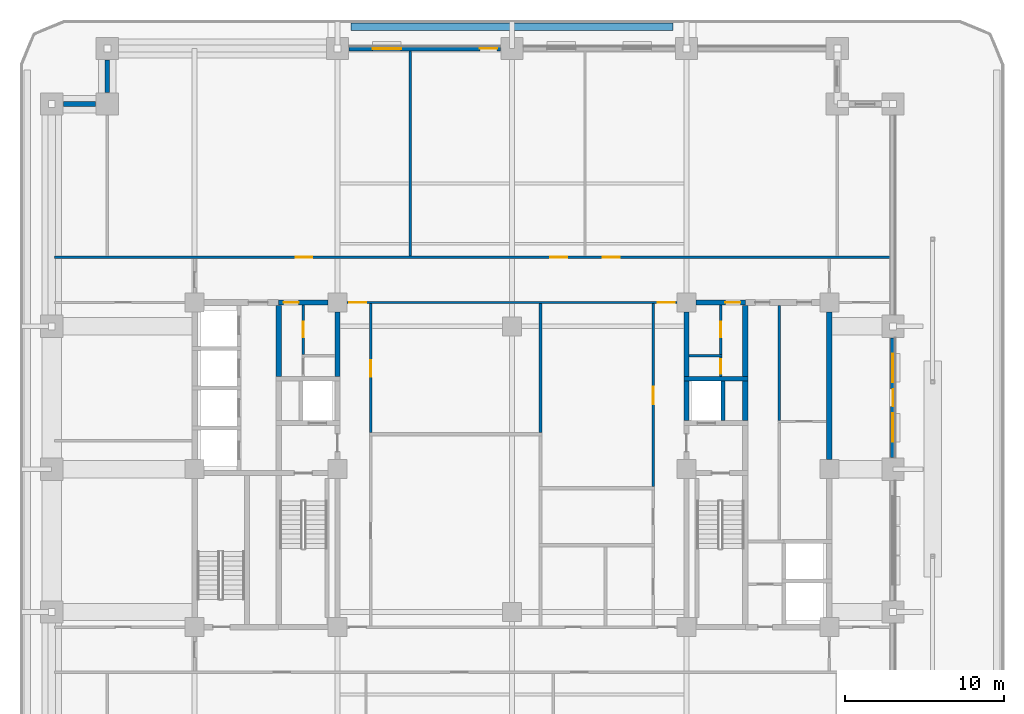
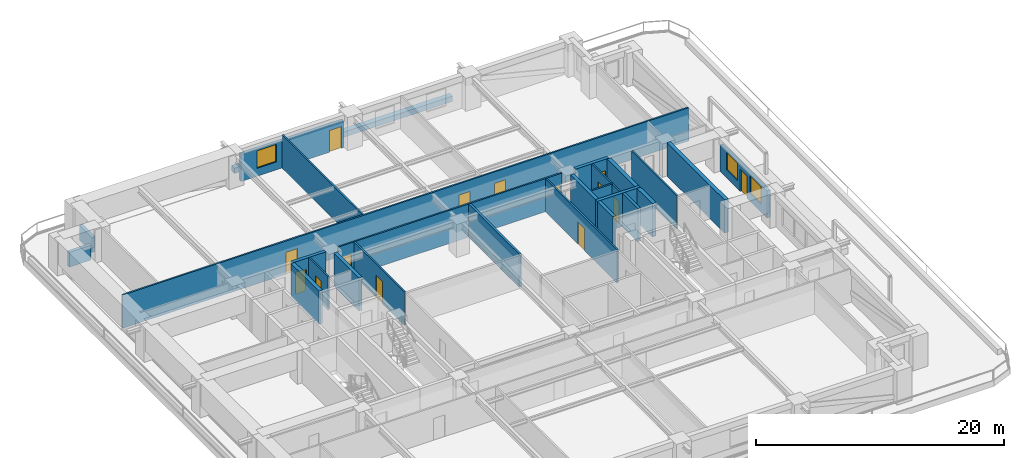
# One storey, part 8 of 18: 27 walls, 14 doors, 3 windows, 17 openings.
"""IFC4 building model written with IfcOpenShell, lengths in metres."""

import ifcopenshell
import ifcopenshell.guid

model = None  # the IFC model being written
_history = None  # IfcOwnerHistory: only IFC2X3 demands one
_inside = {}  # id of a spatial element -> (the spatial element, [elements in it])
_under = {}  # id of a project, library or spatial element -> (it, [spatial elements below it])
_declared = {}  # id of a project -> (the project, [libraries it declares])
_typed = {}  # id of a type object -> (the type object, [elements of that type])
_made_of = {}  # id of a material, layer set ... -> (it, [elements and type objects made of it])


def new_model(schema):
    """Start an empty IFC model of exactly this schema.

    Asked for "IFC4X3", IfcOpenShell would pick the latest addendum, in which some entities
    have other attributes; the version numbers below select the first issue.
    IFC2X3 requires an IfcOwnerHistory on every rooted entity: one is made here for all.
    """
    global model, _history
    if schema == "IFC4X3":
        model = ifcopenshell.file(schema_version=(4, 3, 0, 0))
    else:
        model = ifcopenshell.file(schema=schema)
    _inside.clear()
    _under.clear()
    _declared.clear()
    _typed.clear()
    _made_of.clear()
    _history = None
    if model.schema == "IFC2X3":
        org = make("IfcOrganization", Name="unknown")
        user = make(
            "IfcPersonAndOrganization",
            ThePerson=make("IfcPerson", FamilyName="unknown"),
            TheOrganization=org,
        )
        app = make(
            "IfcApplication",
            ApplicationDeveloper=org,
            Version="unknown",
            ApplicationFullName="unknown",
            ApplicationIdentifier="unknown",
        )
        _history = make(
            "IfcOwnerHistory",
            OwningUser=user,
            OwningApplication=app,
            ChangeAction="ADDED",
            CreationDate=0,
        )
    return model


def make(cls, **values):
    """One entity of the class cls with the attributes given. An attribute that is None is left unset."""
    return model.create_entity(
        cls, **{name: value for name, value in values.items() if value is not None}
    )


def rooted(cls, **values):
    """An entity with a GlobalId (a new one), such as an element, a storey or a relation."""
    return make(cls, GlobalId=ifcopenshell.guid.new(), OwnerHistory=_history, **values)


def si_unit(unit_type, name, prefix=None):
    """IfcSIUnit, for example si_unit("LENGTHUNIT", "METRE", prefix="MILLI")."""
    return make("IfcSIUnit", UnitType=unit_type, Prefix=prefix, Name=name)


def assignment(units):
    """IfcUnitAssignment: the units of a project."""
    return None if units is None else make("IfcUnitAssignment", Units=units)


def point(xyz):
    """IfcCartesianPoint."""
    return None if xyz is None else make("IfcCartesianPoint", Coordinates=xyz)


def direction(xyz):
    """IfcDirection."""
    return None if xyz is None else make("IfcDirection", DirectionRatios=xyz)


def frame(location, z_axis=None, x_axis=None):
    """IfcAxis2Placement3D, a coordinate frame: its origin and axes. An axis left out is left unset."""
    return make(
        "IfcAxis2Placement3D",
        Location=point(location),
        Axis=direction(z_axis),
        RefDirection=direction(x_axis),
    )


def frame_2d(location, x_axis=None):
    """IfcAxis2Placement2D, a coordinate frame in the plane: its origin and x axis."""
    return make(
        "IfcAxis2Placement2D", Location=point(location), RefDirection=direction(x_axis)
    )


def origin():
    """The frame at (0, 0, 0) with its axes left unset."""
    return frame((0.0, 0.0, 0.0))


def place(relative_to, where):
    """IfcLocalPlacement: puts the frame where relative to a parent placement (None: the world)."""
    return make(
        "IfcLocalPlacement", PlacementRelTo=relative_to, RelativePlacement=where
    )


def context(
    kind, dimensions, precision=None, world=None, true_north=None, identifier=None
):
    """IfcGeometricRepresentationContext, for example the 3D "Model" context."""
    return make(
        "IfcGeometricRepresentationContext",
        ContextIdentifier=identifier,
        ContextType=kind,
        CoordinateSpaceDimension=dimensions,
        Precision=precision,
        WorldCoordinateSystem=world,
        TrueNorth=true_north,
    )


def subcontext(parent, identifier, kind, view, scale=None):
    """IfcGeometricRepresentationSubContext, for example "Body" below "Model"."""
    return make(
        "IfcGeometricRepresentationSubContext",
        ContextIdentifier=identifier,
        ContextType=kind,
        ParentContext=parent,
        TargetScale=scale,
        TargetView=view,
    )


def project(units=None, contexts=None):
    """IfcProject with its units and contexts."""
    return rooted(
        "IfcProject",
        Name="project",
        RepresentationContexts=contexts,
        UnitsInContext=assignment(units),
    )


def spatial(cls, under=None, at=None, **own):
    """A site, building, storey or space (cls), placed at a placement, below another one or the project."""
    s = rooted(cls, ObjectPlacement=at, **own)
    if under is not None:
        _under.setdefault(under.id(), (under, []))[1].append(s)
    return s


def profile(cls, at=None, kind="AREA", **sizes):
    """A parametric profile (cls). Its sizes go by their IFC names, for example OverallWidth=200.0."""
    return make(cls, ProfileType=kind, Position=at, **sizes)


def rectangle(**sizes):
    """IfcRectangleProfileDef."""
    return profile("IfcRectangleProfileDef", **sizes)


def extrude(swept, where, along, depth):
    """IfcExtrudedAreaSolid: the profile swept, set in the frame where, extruded along a direction by depth."""
    return make(
        "IfcExtrudedAreaSolid",
        SweptArea=swept,
        Position=where,
        ExtrudedDirection=direction(along),
        Depth=depth,
    )


def shape(context_of_items, identifier, shape_type, items):
    """IfcShapeRepresentation: the items that make up one representation, for example the "Body"."""
    return make(
        "IfcShapeRepresentation",
        ContextOfItems=context_of_items,
        RepresentationIdentifier=identifier,
        RepresentationType=shape_type,
        Items=items,
    )


def material(Name=None, Category=None):
    """IfcMaterial."""
    return make("IfcMaterial", Name=Name, Category=Category)


def layer(
    of_material, thickness, ventilated=None, Name=None, Category=None, Priority=None
):
    """IfcMaterialLayer: one layer of a wall or slab, of a material (None: an air gap)."""
    return make(
        "IfcMaterialLayer",
        Material=of_material,
        LayerThickness=thickness,
        IsVentilated=ventilated,
        Name=Name,
        Category=Category,
        Priority=Priority,
    )


def layer_set(layers, Name=None):
    """IfcMaterialLayerSet."""
    return make("IfcMaterialLayerSet", MaterialLayers=layers, LayerSetName=Name)


def made_of(thing, what):
    """Note that an element or type object is made of a material, layer set ...; save() writes the relation."""
    if what is not None:
        _made_of.setdefault(what.id(), (what, []))[1].append(thing)
    return thing


def type_object(cls, material=None, **own):
    """A type object (cls), such as IfcWallType, which elements share."""
    return made_of(rooted(cls, **own), material)


def element(
    cls,
    number,
    at=None,
    inside=None,
    cuts=None,
    type_object=None,
    material=None,
    context=None,
    identifier="Body",
    shape_type=None,
    held_by="IfcProductDefinitionShape",
    body=None,
    shapes=None,
    **own,
):
    """One element of the class cls, such as IfcWall. Its Tag is "e" and its number.

    at: its placement. inside: the storey or other place that contains it. cuts: it is an
    opening in that element (IfcRelVoidsElement). A single representation is given by context,
    identifier, shape_type and body (its items); several are given by shapes. held_by: the class
    of the entity that holds the representations. save() writes the other relations.
    """
    e = rooted(cls, Tag="e%d" % number, ObjectPlacement=at, **own)
    if body is not None:
        shapes = [shape(context, identifier, shape_type, body)]
    if shapes is not None:
        e.Representation = make(held_by, Representations=shapes)
    if inside is not None:
        _inside.setdefault(inside.id(), (inside, []))[1].append(e)
    if cuts is not None:
        rooted(
            "IfcRelVoidsElement", RelatingBuildingElement=cuts, RelatedOpeningElement=e
        )
    if type_object is not None:
        _typed.setdefault(type_object.id(), (type_object, []))[1].append(e)
    return made_of(e, material)


def fill(opening, filler):
    """IfcRelFillsElement: the door or window that sits in an opening."""
    return rooted(
        "IfcRelFillsElement",
        RelatingOpeningElement=opening,
        RelatedBuildingElement=filler,
    )


def aggregate(whole, parts):
    """IfcRelAggregates: a whole, such as a stair, and the parts it consists of."""
    return rooted("IfcRelAggregates", RelatingObject=whole, RelatedObjects=parts)


def save(model, path):
    """Write the relations noted so far, then the file.

    IfcRelAggregates (storeys below a building ...), IfcRelContainedInSpatialStructure (elements
    in a storey), IfcRelDefinesByType, IfcRelAssociatesMaterial and IfcRelDeclares: one each for
    every whole, place, type object, material and project.
    """
    for whole, parts in _under.values():
        aggregate(whole, parts)
    for where, things in _inside.values():
        rooted(
            "IfcRelContainedInSpatialStructure",
            RelatedElements=things,
            RelatingStructure=where,
        )
    for kind, things in _typed.values():
        rooted("IfcRelDefinesByType", RelatedObjects=things, RelatingType=kind)
    for what, things in _made_of.values():
        rooted("IfcRelAssociatesMaterial", RelatedObjects=things, RelatingMaterial=what)
    for by, libraries in _declared.values():
        rooted("IfcRelDeclares", RelatingContext=by, RelatedDefinitions=libraries)
    model.write(path)


model = new_model("IFC4")

# Units and contexts
model_context = context("Model", 3, precision=1e-05, world=origin(), true_north=direction((0.0, 1.0)))
body_context = subcontext(model_context, "Body", "Model", "MODEL_VIEW")
ifc_project = project(units=[si_unit("LENGTHUNIT", "METRE"), si_unit("AREAUNIT", "SQUARE_METRE"), si_unit("VOLUMEUNIT", "CUBIC_METRE"), si_unit("PLANEANGLEUNIT", "RADIAN"), si_unit("MASSUNIT", "GRAM", prefix="KILO")], contexts=[model_context])

# Site, building, storey
site_placement = place(None, origin())
site = spatial("IfcSite", under=ifc_project, at=site_placement, CompositionType="ELEMENT")
building_placement = place(site_placement, origin())
building = spatial("IfcBuilding", under=site, at=building_placement, Name="Zulmaris Gate Convention Tower", CompositionType="ELEMENT")
storey_placement = place(building_placement, frame((0.0, 0.0, 57.18994140625)))
storey = spatial("IfcBuildingStorey", under=building, at=storey_placement, Name="L13", CompositionType="ELEMENT", Elevation=57.18994140625)

# Walls
ifc_material_1 = material(Name="Concrete C50/60", Category="concrete")
ifc_layer_1 = layer(ifc_material_1, 0.25, Name="Concrete C50/60")
ifc_layer_set_1 = layer_set([ifc_layer_1], Name="Concrete C50/60")
wall_type_1 = type_object("IfcWallType", Name="CORE-250", PredefinedType="SOLIDWALL", material=ifc_layer_set_1)
wall_1_placement = place(storey_placement, frame((13.300048828125, 3.052001953125, 0.0), z_axis=(0.0, 0.0, 1.0), x_axis=(0.0, 1.0, 0.0)))
element("IfcWall", 1, at=wall_1_placement, inside=storey, type_object=wall_type_1, Name="WL-L13-062", PredefinedType="SOLIDWALL", context=body_context, shape_type="SweptSolid", body=[
    extrude(rectangle(XDim=2.49609375, YDim=0.25, at=frame_2d((1.248046875, 0.0))), origin(), (0.0, 0.0, 1.0), 3.27001953125),
])
ifc_layer_2 = layer(ifc_material_1, 0.300048828125, Name="Concrete C50/60")
ifc_layer_set_2 = layer_set([ifc_layer_2], Name="Concrete C50/60")
wall_type_2 = type_object("IfcWallType", Name="CORE-300", PredefinedType="SHEAR", material=ifc_layer_set_2)
wall_2_placement = place(storey_placement, frame((10.85009765625, 5.699951171875, 0.0), z_axis=(0.0, 0.0, 1.0), x_axis=(1.0, 0.0, 0.0)))
element("IfcWall", 2, at=wall_2_placement, inside=storey, type_object=wall_type_2, Name="WL-L13-014", PredefinedType="SHEAR", context=body_context, shape_type="SweptSolid", body=[
    extrude(rectangle(XDim=4.02490234375, YDim=0.300048828125, at=frame_2d((2.012451171875, 0.0))), origin(), (0.0, 0.0, 1.0), 3.27001953125),
])

# Wall, opening, door
wall_3_placement = place(storey_placement, frame((-14.699951171875, 10.5, 0.0), z_axis=(0.0, 0.0, 1.0), x_axis=(1.0, 0.0, 0.0)))
wall_3 = element("IfcWall", 3, at=wall_3_placement, inside=storey, type_object=wall_type_2, Name="WL-L13-017", PredefinedType="SHEAR", context=body_context, shape_type="SweptSolid", body=[
    extrude(rectangle(XDim=3.095947265625, YDim=0.300048828125, at=frame_2d((1.5478515625, 0.0))), origin(), (0.0, 0.0, 1.0), 3.27001953125),
])
opening_1_placement = place(wall_3_placement, frame((0.304931640625, 0.0, 0.0)))
opening_1 = element("IfcOpeningElement", 4, at=opening_1_placement, cuts=wall_3, Name="Opening D-11", PredefinedType="OPENING", context=body_context, shape_type="SweptSolid", body=[
    extrude(rectangle(XDim=0.949951171875, YDim=2.14990234375, at=frame_2d((0.47509765625, 1.074951171875))), frame((0.0, 0.16015625, 0.0), z_axis=(0.0, -1.0, 0.0), x_axis=(1.0, 0.0, 0.0)), (0.0, 0.0, 1.0), 0.320068359375),
])
ifc_material_2 = material(Name="Fire-Rated Timber", Category="wood")
door_type_1 = type_object("IfcDoorType", Name="DR-950-FD", OperationType="NOTDEFINED", PredefinedType="DOOR", material=ifc_material_2)
door_1_placement = place(opening_1_placement, origin())
door_1 = element("IfcDoor", 5, at=door_1_placement, inside=storey, type_object=door_type_1, Name="L13 Core West Passage Door 07", OperationType="SINGLE_SWING_LEFT", OverallHeight=2.14990234375, OverallWidth=0.949951171875, PredefinedType="DOOR", context=body_context, shape_type="SweptSolid", body=[
    extrude(rectangle(XDim=0.949951171875, YDim=2.14990234375, at=frame_2d((0.47509765625, 1.074951171875))), frame((0.0, 0.02490234375, 0.0), z_axis=(0.0, -1.0, 0.0), x_axis=(1.0, 0.0, 0.0)), (0.0, 0.0, 1.0), 0.050048828125),
])
fill(opening_1, door_1)

wall_4_placement = place(storey_placement, frame((11.60400390625, 10.5, 0.0), z_axis=(0.0, 0.0, 1.0), x_axis=(1.0, 0.0, 0.0)))
wall_4 = element("IfcWall", 6, at=wall_4_placement, inside=storey, type_object=wall_type_2, Name="WL-L13-018", PredefinedType="SHEAR", context=body_context, shape_type="SweptSolid", body=[
    extrude(rectangle(XDim=3.095947265625, YDim=0.300048828125, at=frame_2d((1.5478515625, 0.0))), origin(), (0.0, 0.0, 1.0), 3.27001953125),
])
opening_2_placement = place(wall_4_placement, frame((1.841064453125, 0.0, 0.0)))
opening_2 = element("IfcOpeningElement", 7, at=opening_2_placement, cuts=wall_4, Name="Opening D-11", PredefinedType="OPENING", context=body_context, shape_type="SweptSolid", body=[
    extrude(rectangle(XDim=0.949951171875, YDim=2.14990234375, at=frame_2d((0.47509765625, 1.074951171875))), frame((0.0, 0.16015625, 0.0), z_axis=(0.0, -1.0, 0.0), x_axis=(1.0, 0.0, 0.0)), (0.0, 0.0, 1.0), 0.320068359375),
])
door_2_placement = place(opening_2_placement, origin())
door_2 = element("IfcDoor", 8, at=door_2_placement, inside=storey, type_object=door_type_1, Name="L13 Core East Passage Door 10", OperationType="SINGLE_SWING_RIGHT", OverallHeight=2.14990234375, OverallWidth=0.949951171875, PredefinedType="DOOR", context=body_context, shape_type="SweptSolid", body=[
    extrude(rectangle(XDim=0.949951171875, YDim=2.14990234375, at=frame_2d((0.47509765625, 1.074951171875))), frame((0.0, 0.02490234375, 0.0), z_axis=(0.0, -1.0, 0.0), x_axis=(1.0, 0.0, 0.0)), (0.0, 0.0, 1.0), 0.050048828125),
])
fill(opening_2, door_2)

# Walls
wall_5_placement = place(storey_placement, frame((-11.0, 5.85205078125, 0.0), z_axis=(0.0, 0.0, 1.0), x_axis=(0.0, 1.0, 0.0)))
element("IfcWall", 9, at=wall_5_placement, inside=storey, type_object=wall_type_2, Name="WL-L13-056", PredefinedType="SHEAR", context=body_context, shape_type="SweptSolid", body=[
    extrude(rectangle(XDim=4.0439453125, YDim=0.300048828125, at=frame_2d((2.02197265625, 0.0))), origin(), (0.0, 0.0, 1.0), 3.27001953125),
])
wall_6_placement = place(storey_placement, frame((11.0, 3.052001953125, 0.0), z_axis=(0.0, 0.0, 1.0), x_axis=(0.0, 1.0, 0.0)))
element("IfcWall", 10, at=wall_6_placement, inside=storey, type_object=wall_type_2, Name="WL-L13-059", PredefinedType="SHEAR", context=body_context, shape_type="SweptSolid", body=[
    extrude(rectangle(XDim=2.49609375, YDim=0.300048828125, at=frame_2d((1.248046875, 0.0))), origin(), (0.0, 0.0, 1.0), 3.27001953125),
])
wall_7_placement = place(storey_placement, frame((11.0, 5.85205078125, 0.0), z_axis=(0.0, 0.0, 1.0), x_axis=(0.0, 1.0, 0.0)))
element("IfcWall", 11, at=wall_7_placement, inside=storey, type_object=wall_type_2, Name="WL-L13-060", PredefinedType="SHEAR", context=body_context, shape_type="SweptSolid", body=[
    extrude(rectangle(XDim=4.0439453125, YDim=0.300048828125, at=frame_2d((2.02197265625, 0.0))), origin(), (0.0, 0.0, 1.0), 3.27001953125),
])
ifc_material_3 = material(Name="Concrete C55/67", Category="concrete")
ifc_layer_3 = layer(ifc_material_3, 0.35009765625, Name="Concrete C55/67")
ifc_layer_set_3 = layer_set([ifc_layer_3], Name="Concrete C55/67")
wall_type_3 = type_object("IfcWallType", Name="CORE-350", PredefinedType="SHEAR", material=ifc_layer_set_3)
wall_8_placement = place(storey_placement, frame((-14.699951171875, 5.85205078125, 0.0), z_axis=(0.0, 0.0, 1.0), x_axis=(0.0, 1.0, 0.0)))
element("IfcWall", 12, at=wall_8_placement, inside=storey, type_object=wall_type_3, Name="WL-L13-050", PredefinedType="SHEAR", context=body_context, shape_type="SweptSolid", body=[
    extrude(rectangle(XDim=4.470947265625, YDim=0.35009765625, at=frame_2d((2.2353515625, 0.0))), origin(), (0.0, 0.0, 1.0), 3.27001953125),
])
wall_9_placement = place(storey_placement, frame((14.699951171875, 3.052001953125, 0.0), z_axis=(0.0, 0.0, 1.0), x_axis=(0.0, 1.0, 0.0)))
element("IfcWall", 13, at=wall_9_placement, inside=storey, type_object=wall_type_3, Name="WL-L13-065", PredefinedType="SHEAR", context=body_context, shape_type="SweptSolid", body=[
    extrude(rectangle(XDim=2.49609375, YDim=0.35009765625, at=frame_2d((1.248046875, 0.0))), origin(), (0.0, 0.0, 1.0), 3.27001953125),
])
wall_10_placement = place(storey_placement, frame((14.699951171875, 5.85205078125, 0.0), z_axis=(0.0, 0.0, 1.0), x_axis=(0.0, 1.0, 0.0)))
element("IfcWall", 14, at=wall_10_placement, inside=storey, type_object=wall_type_3, Name="WL-L13-066", PredefinedType="SHEAR", context=body_context, shape_type="SweptSolid", body=[
    extrude(rectangle(XDim=4.470947265625, YDim=0.35009765625, at=frame_2d((2.2353515625, 0.0))), origin(), (0.0, 0.0, 1.0), 3.27001953125),
])
wall_11_placement = place(storey_placement, frame((20.0, 0.60400390625, 0.0), z_axis=(0.0, 0.0, 1.0), x_axis=(0.0, 1.0, 0.0)))
element("IfcWall", 15, at=wall_11_placement, inside=storey, type_object=wall_type_3, Name="WL-L13-071S1", PredefinedType="SHEAR", context=body_context, shape_type="SweptSolid", body=[
    extrude(rectangle(XDim=9.2919921875, YDim=0.35009765625, at=frame_2d((4.64599609375, 0.0))), origin(), (0.0, 0.0, 1.0), 3.27001953125),
])
ifc_material_4 = material(Name="Gypsum Metal Stud Partition")
ifc_layer_4 = layer(ifc_material_4, 0.14990234375, Name="Gypsum Metal Stud Partition")
ifc_layer_set_4 = layer_set([ifc_layer_4], Name="Gypsum Metal Stud Partition")
wall_type_4 = type_object("IfcWallType", Name="PART-150", PredefinedType="PARTITIONING", material=ifc_layer_set_4)
wall_12_placement = place(storey_placement, frame((11.153076171875, 7.14990234375, 0.0), z_axis=(0.0, 0.0, 1.0), x_axis=(1.0, 0.0, 0.0)))
element("IfcWall", 16, at=wall_12_placement, inside=storey, type_object=wall_type_4, Name="WL-L13-032", PredefinedType="PARTITIONING", context=body_context, shape_type="SweptSolid", body=[
    extrude(rectangle(XDim=2.072021484375, YDim=0.14990234375, at=frame_2d((1.0361328125, 0.0))), origin(), (0.0, 0.0, 1.0), 3.27001953125),
])

# Wall, openings, doors
wall_13_placement = place(storey_placement, frame((-10.39404296875, 10.5, 0.0), z_axis=(0.0, 0.0, 1.0), x_axis=(1.0, 0.0, 0.0)))
wall_13 = element("IfcWall", 17, at=wall_13_placement, inside=storey, type_object=wall_type_4, Name="WL-L13-034", PredefinedType="PARTITIONING", context=body_context, shape_type="SweptSolid", body=[
    extrude(rectangle(XDim=20.7880859375, YDim=0.14990234375, at=frame_2d((10.39404296875, 0.0))), origin(), (0.0, 0.0, 1.0), 3.27001953125),
])
opening_3_placement = place(wall_13_placement, frame((0.14990234375, 0.0, 0.0)))
opening_3 = element("IfcOpeningElement", 18, at=opening_3_placement, cuts=wall_13, Name="Opening D-09", PredefinedType="OPENING", context=body_context, shape_type="SweptSolid", body=[
    extrude(rectangle(XDim=1.050048828125, YDim=2.14990234375, at=frame_2d((0.52490234375, 1.074951171875))), frame((0.0, 0.0849609375, 0.0), z_axis=(0.0, -1.0, 0.0), x_axis=(1.0, 0.0, 0.0)), (0.0, 0.0, 1.0), 0.169921875),
])
opening_4_placement = place(wall_13_placement, frame((19.587890625, 0.0, 0.0)))
opening_4 = element("IfcOpeningElement", 19, at=opening_4_placement, cuts=wall_13, Name="Opening D-09", PredefinedType="OPENING", context=body_context, shape_type="SweptSolid", body=[
    extrude(rectangle(XDim=1.050048828125, YDim=2.14990234375, at=frame_2d((0.52490234375, 1.074951171875))), frame((0.0, 0.0849609375, 0.0), z_axis=(0.0, -1.0, 0.0), x_axis=(1.0, 0.0, 0.0)), (0.0, 0.0, 1.0), 0.169921875),
])
ifc_material_5 = material(Name="Fire-Rated Steel", Category="steel")
door_type_2 = type_object("IfcDoorType", Name="DR-1050-FD", OperationType="NOTDEFINED", PredefinedType="DOOR", material=ifc_material_5)
door_3_placement = place(opening_3_placement, origin())
door_3 = element("IfcDoor", 20, at=door_3_placement, inside=storey, type_object=door_type_2, Name="L13 NW Spine Link Door 24", OperationType="SINGLE_SWING_RIGHT", OverallHeight=2.14990234375, OverallWidth=1.050048828125, PredefinedType="DOOR", context=body_context, shape_type="SweptSolid", body=[
    extrude(rectangle(XDim=1.050048828125, YDim=2.14990234375, at=frame_2d((0.52490234375, 1.074951171875))), frame((0.0, 0.02490234375, 0.0), z_axis=(0.0, -1.0, 0.0), x_axis=(1.0, 0.0, 0.0)), (0.0, 0.0, 1.0), 0.050048828125),
])
fill(opening_3, door_3)
door_4_placement = place(opening_4_placement, origin())
door_4 = element("IfcDoor", 21, at=door_4_placement, inside=storey, type_object=door_type_2, Name="L13 NE Spine Link Door 26", OperationType="SINGLE_SWING_RIGHT", OverallHeight=2.14990234375, OverallWidth=1.050048828125, PredefinedType="DOOR", context=body_context, shape_type="SweptSolid", body=[
    extrude(rectangle(XDim=1.050048828125, YDim=2.14990234375, at=frame_2d((0.52490234375, 1.074951171875))), frame((0.0, 0.02490234375, 0.0), z_axis=(0.0, -1.0, 0.0), x_axis=(1.0, 0.0, 0.0)), (0.0, 0.0, 1.0), 0.050048828125),
])
fill(opening_4, door_4)

wall_14_placement = place(storey_placement, frame((-28.8349609375, 13.35009765625, 0.0), z_axis=(0.0, 0.0, 1.0), x_axis=(1.0, 0.0, 0.0)))
wall_14 = element("IfcWall", 22, at=wall_14_placement, inside=storey, type_object=wall_type_4, Name="WL-L13-036", PredefinedType="PARTITIONING", context=body_context, shape_type="SweptSolid", body=[
    extrude(rectangle(XDim=52.669921875, YDim=0.14990234375, at=frame_2d((26.3349609375, 0.0))), origin(), (0.0, 0.0, 1.0), 3.27001953125),
])
opening_5_placement = place(wall_14_placement, frame((15.2099609375, 0.0, 0.0)))
opening_5 = element("IfcOpeningElement", 23, at=opening_5_placement, cuts=wall_14, Name="Opening D-09", PredefinedType="OPENING", context=body_context, shape_type="SweptSolid", body=[
    extrude(rectangle(XDim=1.050048828125, YDim=2.14990234375, at=frame_2d((0.52490234375, 1.074951171875))), frame((0.0, 0.0849609375, 0.0), z_axis=(0.0, -1.0, 0.0), x_axis=(1.0, 0.0, 0.0)), (0.0, 0.0, 1.0), 0.169921875),
])
opening_6_placement = place(wall_14_placement, frame((31.260009765625, 0.0, 0.0)))
opening_6 = element("IfcOpeningElement", 24, at=opening_6_placement, cuts=wall_14, Name="Opening D-09", PredefinedType="OPENING", context=body_context, shape_type="SweptSolid", body=[
    extrude(rectangle(XDim=1.050048828125, YDim=2.14990234375, at=frame_2d((0.52490234375, 1.074951171875))), frame((0.0, 0.0849609375, 0.0), z_axis=(0.0, -1.0, 0.0), x_axis=(1.0, 0.0, 0.0)), (0.0, 0.0, 1.0), 0.169921875),
])
opening_7_placement = place(wall_14_placement, frame((34.56005859375, 0.0, 0.0)))
opening_7 = element("IfcOpeningElement", 25, at=opening_7_placement, cuts=wall_14, Name="Opening D-09", PredefinedType="OPENING", context=body_context, shape_type="SweptSolid", body=[
    extrude(rectangle(XDim=1.050048828125, YDim=2.14990234375, at=frame_2d((0.52490234375, 1.074951171875))), frame((0.0, 0.0849609375, 0.0), z_axis=(0.0, -1.0, 0.0), x_axis=(1.0, 0.0, 0.0)), (0.0, 0.0, 1.0), 0.169921875),
])
door_5_placement = place(opening_5_placement, origin())
door_5 = element("IfcDoor", 26, at=door_5_placement, inside=storey, type_object=door_type_2, Name="L13 Partner Corner Office Door 28", OperationType="SINGLE_SWING_RIGHT", OverallHeight=2.14990234375, OverallWidth=1.050048828125, PredefinedType="DOOR", context=body_context, shape_type="SweptSolid", body=[
    extrude(rectangle(XDim=1.050048828125, YDim=2.14990234375, at=frame_2d((0.52490234375, 1.074951171875))), frame((0.0, 0.02490234375, 0.0), z_axis=(0.0, -1.0, 0.0), x_axis=(1.0, 0.0, 0.0)), (0.0, 0.0, 1.0), 0.050048828125),
])
fill(opening_5, door_5)
door_6_placement = place(opening_6_placement, origin())
door_6 = element("IfcDoor", 27, at=door_6_placement, inside=storey, type_object=door_type_2, Name="L13 Advisory Suite Office Door 29", OperationType="SINGLE_SWING_LEFT", OverallHeight=2.14990234375, OverallWidth=1.050048828125, PredefinedType="DOOR", context=body_context, shape_type="SweptSolid", body=[
    extrude(rectangle(XDim=1.050048828125, YDim=2.14990234375, at=frame_2d((0.52490234375, 1.074951171875))), frame((0.0, 0.02490234375, 0.0), z_axis=(0.0, -1.0, 0.0), x_axis=(1.0, 0.0, 0.0)), (0.0, 0.0, 1.0), 0.050048828125),
])
fill(opening_6, door_6)
door_7_placement = place(opening_7_placement, origin())
door_7 = element("IfcDoor", 28, at=door_7_placement, inside=storey, type_object=door_type_2, Name="L13 Open Plan Workplace Door 30", OperationType="SINGLE_SWING_RIGHT", OverallHeight=2.14990234375, OverallWidth=1.050048828125, PredefinedType="DOOR", context=body_context, shape_type="SweptSolid", body=[
    extrude(rectangle(XDim=1.050048828125, YDim=2.14990234375, at=frame_2d((0.52490234375, 1.074951171875))), frame((0.0, 0.02490234375, 0.0), z_axis=(0.0, -1.0, 0.0), x_axis=(1.0, 0.0, 0.0)), (0.0, 0.0, 1.0), 0.050048828125),
])
fill(opening_7, door_7)

# Wall, opening, door
wall_15_placement = place(storey_placement, frame((-13.14990234375, 7.22802734375, 0.0), z_axis=(0.0, 0.0, 1.0), x_axis=(0.0, 1.0, 0.0)))
wall_15 = element("IfcWall", 29, at=wall_15_placement, inside=storey, type_object=wall_type_4, Name="WL-L13-077", PredefinedType="PARTITIONING", context=body_context, shape_type="SweptSolid", body=[
    extrude(rectangle(XDim=3.118896484375, YDim=0.14990234375, at=frame_2d((1.5595703125, 0.0))), origin(), (0.0, 0.0, 1.0), 3.27001953125),
])
opening_8_placement = place(wall_15_placement, frame((1.096923828125, 0.0, 0.0)))
opening_8 = element("IfcOpeningElement", 30, at=opening_8_placement, cuts=wall_15, Name="Opening D-11", PredefinedType="OPENING", context=body_context, shape_type="SweptSolid", body=[
    extrude(rectangle(XDim=0.949951171875, YDim=2.14990234375, at=frame_2d((0.47509765625, 1.074951171875))), frame((0.0, 0.0849609375, 0.0), z_axis=(0.0, -1.0, 0.0), x_axis=(1.0, 0.0, 0.0)), (0.0, 0.0, 1.0), 0.169921875),
])
door_8_placement = place(opening_8_placement, origin())
door_8 = element("IfcDoor", 31, at=door_8_placement, inside=storey, type_object=door_type_1, Name="L13 Meter Closet Door 09", OperationType="SINGLE_SWING_LEFT", OverallHeight=2.14990234375, OverallWidth=0.949951171875, PredefinedType="DOOR", context=body_context, shape_type="SweptSolid", body=[
    extrude(rectangle(XDim=0.949951171875, YDim=2.14990234375, at=frame_2d((0.47509765625, 1.074951171875))), frame((0.0, 0.02490234375, 0.0), z_axis=(0.0, -1.0, 0.0), x_axis=(1.0, 0.0, 0.0)), (0.0, 0.0, 1.0), 0.050048828125),
])
fill(opening_8, door_8)

wall_16_placement = place(storey_placement, frame((-8.89990234375, 2.302978515625, 0.0), z_axis=(0.0, 0.0, 1.0), x_axis=(0.0, 1.0, 0.0)))
wall_16 = element("IfcWall", 32, at=wall_16_placement, inside=storey, type_object=wall_type_4, Name="WL-L13-080", PredefinedType="PARTITIONING", context=body_context, shape_type="SweptSolid", body=[
    extrude(rectangle(XDim=8.119140625, YDim=0.14990234375, at=frame_2d((4.0595703125, 0.0))), origin(), (0.0, 0.0, 1.0), 3.27001953125),
])
opening_9_placement = place(wall_16_placement, frame((3.52197265625, 0.0, 0.0)))
opening_9 = element("IfcOpeningElement", 33, at=opening_9_placement, cuts=wall_16, Name="Opening D-09", PredefinedType="OPENING", context=body_context, shape_type="SweptSolid", body=[
    extrude(rectangle(XDim=1.050048828125, YDim=2.14990234375, at=frame_2d((0.52490234375, 1.074951171875))), frame((0.0, 0.0849609375, 0.0), z_axis=(0.0, -1.0, 0.0), x_axis=(1.0, 0.0, 0.0)), (0.0, 0.0, 1.0), 0.169921875),
])
door_9_placement = place(opening_9_placement, origin())
door_9 = element("IfcDoor", 34, at=door_9_placement, inside=storey, type_object=door_type_2, Name="L13 Boardroom Door 34", OperationType="SINGLE_SWING_RIGHT", OverallHeight=2.14990234375, OverallWidth=1.050048828125, PredefinedType="DOOR", context=body_context, shape_type="SweptSolid", body=[
    extrude(rectangle(XDim=1.050048828125, YDim=2.14990234375, at=frame_2d((0.52490234375, 1.074951171875))), frame((0.0, 0.02490234375, 0.0), z_axis=(0.0, -1.0, 0.0), x_axis=(1.0, 0.0, 0.0)), (0.0, 0.0, 1.0), 0.050048828125),
])
fill(opening_9, door_9)

# Wall
wall_17_placement = place(storey_placement, frame((-6.39990234375, 13.427978515625, 0.0), z_axis=(0.0, 0.0, 1.0), x_axis=(0.0, 1.0, 0.0)))
element("IfcWall", 35, at=wall_17_placement, inside=storey, type_object=wall_type_4, Name="WL-L13-081", PredefinedType="PARTITIONING", context=body_context, shape_type="SweptSolid", body=[
    extrude(rectangle(XDim=12.906982421875, YDim=0.14990234375, at=frame_2d((6.45361328125, 0.0))), origin(), (0.0, 0.0, 1.0), 3.27001953125),
])

# Wall, opening, door
wall_18_placement = place(storey_placement, frame((8.89990234375, -1.096923828125, 0.0), z_axis=(0.0, 0.0, 1.0), x_axis=(0.0, 1.0, 0.0)))
wall_18 = element("IfcWall", 36, at=wall_18_placement, inside=storey, type_object=wall_type_4, Name="WL-L13-091", PredefinedType="PARTITIONING", context=body_context, shape_type="SweptSolid", body=[
    extrude(rectangle(XDim=11.51904296875, YDim=0.14990234375, at=frame_2d((5.759521484375, 0.0))), origin(), (0.0, 0.0, 1.0), 3.27001953125),
])
opening_10_placement = place(wall_18_placement, frame((5.197021484375, 0.0, 0.0)))
opening_10 = element("IfcOpeningElement", 37, at=opening_10_placement, cuts=wall_18, Name="Opening D-08", PredefinedType="OPENING", context=body_context, shape_type="SweptSolid", body=[
    extrude(rectangle(XDim=1.10009765625, YDim=2.14990234375, at=frame_2d((0.550048828125, 1.074951171875))), frame((0.0, 0.0849609375, 0.0), z_axis=(0.0, -1.0, 0.0), x_axis=(1.0, 0.0, 0.0)), (0.0, 0.0, 1.0), 0.169921875),
])
door_type_3 = type_object("IfcDoorType", Name="DR-1100-FD", OperationType="NOTDEFINED", PredefinedType="DOOR", material=ifc_material_5)
door_10_placement = place(opening_10_placement, origin())
door_10 = element("IfcDoor", 38, at=door_10_placement, inside=storey, type_object=door_type_3, Name="L13 Seminar Forum Door 36", OperationType="SINGLE_SWING_RIGHT", OverallHeight=2.14990234375, OverallWidth=1.10009765625, PredefinedType="DOOR", context=body_context, shape_type="SweptSolid", body=[
    extrude(rectangle(XDim=1.10009765625, YDim=2.14990234375, at=frame_2d((0.550048828125, 1.074951171875))), frame((0.0, 0.02490234375, 0.0), z_axis=(0.0, -1.0, 0.0), x_axis=(1.0, 0.0, 0.0)), (0.0, 0.0, 1.0), 0.050048828125),
])
fill(opening_10, door_10)

wall_19_placement = place(storey_placement, frame((13.14990234375, 5.85302734375, 0.0), z_axis=(0.0, 0.0, 1.0), x_axis=(0.0, 1.0, 0.0)))
wall_19 = element("IfcWall", 39, at=wall_19_placement, inside=storey, type_object=wall_type_4, Name="WL-L13-092", PredefinedType="PARTITIONING", context=body_context, shape_type="SweptSolid", body=[
    extrude(rectangle(XDim=1.218994140625, YDim=0.14990234375, at=frame_2d((0.609375, 0.0))), origin(), (0.0, 0.0, 1.0), 3.27001953125),
])
opening_11_placement = place(wall_19_placement, frame((0.1689453125, 0.0, 0.0)))
opening_11 = element("IfcOpeningElement", 40, at=opening_11_placement, cuts=wall_19, Name="Opening D-12", PredefinedType="OPENING", context=body_context, shape_type="SweptSolid", body=[
    extrude(rectangle(XDim=0.89990234375, YDim=2.14990234375, at=frame_2d((0.449951171875, 1.074951171875))), frame((0.0, 0.0849609375, 0.0), z_axis=(0.0, -1.0, 0.0), x_axis=(1.0, 0.0, 0.0)), (0.0, 0.0, 1.0), 0.169921875),
])
door_type_4 = type_object("IfcDoorType", Name="DR-900-FD", OperationType="NOTDEFINED", PredefinedType="DOOR", material=ifc_material_2)
door_11_placement = place(opening_11_placement, origin())
door_11 = element("IfcDoor", 41, at=door_11_placement, inside=storey, type_object=door_type_4, Name="L13 Core Staff WC Door 11", OperationType="SINGLE_SWING_LEFT", OverallHeight=2.14990234375, OverallWidth=0.89990234375, PredefinedType="DOOR", context=body_context, shape_type="SweptSolid", body=[
    extrude(rectangle(XDim=0.89990234375, YDim=2.14990234375, at=frame_2d((0.449951171875, 1.074951171875))), frame((0.0, 0.02490234375, 0.0), z_axis=(0.0, -1.0, 0.0), x_axis=(1.0, 0.0, 0.0)), (0.0, 0.0, 1.0), 0.050048828125),
])
fill(opening_11, door_11)

wall_20_placement = place(storey_placement, frame((13.14990234375, 7.22802734375, 0.0), z_axis=(0.0, 0.0, 1.0), x_axis=(0.0, 1.0, 0.0)))
wall_20 = element("IfcWall", 42, at=wall_20_placement, inside=storey, type_object=wall_type_4, Name="WL-L13-093", PredefinedType="PARTITIONING", context=body_context, shape_type="SweptSolid", body=[
    extrude(rectangle(XDim=3.118896484375, YDim=0.14990234375, at=frame_2d((1.5595703125, 0.0))), origin(), (0.0, 0.0, 1.0), 3.27001953125),
])
opening_12_placement = place(wall_20_placement, frame((1.096923828125, 0.0, 0.0)))
opening_12 = element("IfcOpeningElement", 43, at=opening_12_placement, cuts=wall_20, Name="Opening D-11", PredefinedType="OPENING", context=body_context, shape_type="SweptSolid", body=[
    extrude(rectangle(XDim=0.949951171875, YDim=2.14990234375, at=frame_2d((0.47509765625, 1.074951171875))), frame((0.0, 0.0849609375, 0.0), z_axis=(0.0, -1.0, 0.0), x_axis=(1.0, 0.0, 0.0)), (0.0, 0.0, 1.0), 0.169921875),
])
door_12_placement = place(opening_12_placement, origin())
door_12 = element("IfcDoor", 44, at=door_12_placement, inside=storey, type_object=door_type_1, Name="L13 Core Hygiene Store Door 12", OperationType="SINGLE_SWING_RIGHT", OverallHeight=2.14990234375, OverallWidth=0.949951171875, PredefinedType="DOOR", context=body_context, shape_type="SweptSolid", body=[
    extrude(rectangle(XDim=0.949951171875, YDim=2.14990234375, at=frame_2d((0.47509765625, 1.074951171875))), frame((0.0, 0.02490234375, 0.0), z_axis=(0.0, -1.0, 0.0), x_axis=(1.0, 0.0, 0.0)), (0.0, 0.0, 1.0), 0.050048828125),
])
fill(opening_12, door_12)

# Walls
wall_21_placement = place(storey_placement, frame((16.85009765625, 3.077880859375, 0.0), z_axis=(0.0, 0.0, 1.0), x_axis=(0.0, 1.0, 0.0)))
element("IfcWall", 45, at=wall_21_placement, inside=storey, type_object=wall_type_4, Name="WL-L13-095", PredefinedType="PARTITIONING", context=body_context, shape_type="SweptSolid", body=[
    extrude(rectangle(XDim=7.244140625, YDim=0.14990234375, at=frame_2d((3.6220703125, 0.0))), origin(), (0.0, 0.0, 1.0), 3.27001953125),
])
ifc_material_6 = material(Name="Autoclaved Aerated Concrete Block and Plasterboard", Category="concrete")
ifc_layer_5 = layer(ifc_material_6, 0.199951171875, Name="Autoclaved Aerated Concrete Block and Plasterboard")
ifc_layer_set_5 = layer_set([ifc_layer_5], Name="Autoclaved Aerated Concrete Block and Plasterboard")
wall_type_5 = type_object("IfcWallType", Name="PART-200", PredefinedType="PARTITIONING", material=ifc_layer_set_5)
wall_22_placement = place(storey_placement, frame((1.800048828125, 2.302978515625, 0.0), z_axis=(0.0, 0.0, 1.0), x_axis=(0.0, 1.0, 0.0)))
element("IfcWall", 46, at=wall_22_placement, inside=storey, type_object=wall_type_5, Name="WL-L13-085", PredefinedType="PARTITIONING", context=body_context, shape_type="SweptSolid", body=[
    extrude(rectangle(XDim=8.119140625, YDim=0.199951171875, at=frame_2d((4.0595703125, 0.0))), origin(), (0.0, 0.0, 1.0), 3.27001953125),
])
ifc_material_7 = material(Name="Botanical Green Glazed Precast Concrete C40/50", Category="concrete")
ifc_layer_6 = layer(ifc_material_7, 0.419921875, Name="Botanical Green Glazed Precast Concrete C40/50")
ifc_layer_set_6 = layer_set([ifc_layer_6], Name="Botanical Green Glazed Precast Concrete C40/50")
wall_type_6 = type_object("IfcWallType", Name="PLANTER-CURB-200", PredefinedType="PARAPET", material=ifc_layer_set_6)
wall_23_placement = place(storey_placement, frame((-10.14990234375, 27.8798828125, -0.0400390625), z_axis=(0.0, 0.0, 1.0), x_axis=(1.0, 0.0, 0.0)))
element("IfcWall", 47, at=wall_23_placement, inside=storey, type_object=wall_type_6, Name="L13 Full-Length Balcony Tree Planter Trough", PredefinedType="PARAPET", context=body_context, shape_type="SweptSolid", body=[
    extrude(rectangle(XDim=20.2998046875, YDim=0.47998046875, at=frame_2d((10.14990234375, 0.0))), origin(), (0.0, 0.0, 1.0), 0.52001953125),
])
ifc_material_8 = material(Name="Precast concrete C40/50", Category="concrete")
ifc_layer_7 = layer(ifc_material_8, 0.300048828125, Name="Precast concrete C40/50")
ifc_layer_set_7 = layer_set([ifc_layer_7], Name="Precast concrete C40/50")
wall_type_7 = type_object("IfcWallType", Name="PRECAST-PIER-300", PredefinedType="STANDARD", material=ifc_layer_set_7)
for number, where, z_axis, x_axis, name in (
    (48, (-25.5, 25.77001953125, 0.0), (0.0, 0.0, 1.0), (0.0, -1.0, 0.0), "EW-L13-NOTCH-NW1_0"),
    (49, (-26.22998046875, 23.0, 0.0), (0.0, 0.0, 1.0), (-1.0, 0.0, 0.0), "EW-L13-NOTCH-NW2_0"),
):
    element("IfcWall", number, at=place(storey_placement, frame(where, z_axis=z_axis, x_axis=x_axis)), inside=storey, type_object=wall_type_7, Name=name, PredefinedType="STANDARD", context=body_context, shape_type="SweptSolid", body=[
        extrude(rectangle(XDim=2.0400390625, YDim=0.300048828125, at=frame_2d((1.02001953125, 0.0))), origin(), (0.0, 0.0, 1.0), 1.462158203125),
    ])

# Wall, openings, door, window
wall_24_placement = place(storey_placement, frame((-0.72998046875, 26.5, 0.0), z_axis=(0.0, 0.0, 1.0), x_axis=(-1.0, 0.0, 0.0)))
wall_24 = element("IfcWall", 50, at=wall_24_placement, inside=storey, type_object=wall_type_7, Name="EW-L13-N-1_0", PredefinedType="STANDARD", context=body_context, shape_type="SweptSolid", body=[
    extrude(rectangle(XDim=9.5400390625, YDim=0.300048828125, at=frame_2d((4.77001953125, 0.0))), origin(), (0.0, 0.0, 1.0), 2.662109375),
])
opening_13_placement = place(wall_24_placement, frame((0.199951171875, 0.0, 0.0)))
opening_13 = element("IfcOpeningElement", 51, at=opening_13_placement, cuts=wall_24, Name="Opening D-04", PredefinedType="OPENING", context=body_context, shape_type="SweptSolid", body=[
    extrude(rectangle(XDim=1.10009765625, YDim=2.14990234375, at=frame_2d((0.550048828125, 1.074951171875))), frame((0.0, 0.16015625, 0.0), z_axis=(0.0, -1.0, 0.0), x_axis=(1.0, 0.0, 0.0)), (0.0, 0.0, 1.0), 0.320068359375),
])
opening_14_placement = place(wall_24_placement, frame((6.2548828125, 0.0, 0.780029296875)))
opening_14 = element("IfcOpeningElement", 52, at=opening_14_placement, cuts=wall_24, Name="Opening W-02", PredefinedType="OPENING", context=body_context, shape_type="SweptSolid", body=[
    extrude(rectangle(XDim=1.800048828125, YDim=1.719970703125, at=frame_2d((0.89990234375, 0.85986328125))), frame((0.0, 0.16015625, 0.0), z_axis=(0.0, -1.0, 0.0), x_axis=(1.0, 0.0, 0.0)), (0.0, 0.0, 1.0), 0.320068359375),
])
ifc_material_9 = material(Name="Anodised Aluminium and Laminated Glass", Category="aluminium")
door_type_5 = type_object("IfcDoorType", Name="ED-1100", OperationType="SINGLE_SWING_RIGHT", PredefinedType="DOOR", material=ifc_material_9)
door_13_placement = place(opening_13_placement, origin())
door_13 = element("IfcDoor", 53, at=door_13_placement, inside=storey, type_object=door_type_5, Name="L13 N Planted Terrace Door", OperationType="SINGLE_SWING_LEFT", OverallHeight=2.14990234375, OverallWidth=1.10009765625, PredefinedType="DOOR", context=body_context, shape_type="SweptSolid", body=[
    extrude(rectangle(XDim=1.10009765625, YDim=2.14990234375, at=frame_2d((0.550048828125, 1.074951171875))), frame((0.0, 0.02490234375, 0.0), z_axis=(0.0, -1.0, 0.0), x_axis=(1.0, 0.0, 0.0)), (0.0, 0.0, 1.0), 0.050048828125),
])
fill(opening_13, door_13)
ifc_material_10 = material(Name="Low-E Laminated Double Glazing in Aluminium Frame", Category="aluminium")
window_type = type_object("IfcWindowType", Name="WIN-1800x2200", PartitioningType="SINGLE_PANEL", PredefinedType="WINDOW", material=ifc_material_10)
window_1_placement = place(opening_14_placement, origin())
window_1 = element("IfcWindow", 54, at=window_1_placement, inside=storey, type_object=window_type, Name="WN-EW-L13-N-1_0-3", OverallHeight=1.719970703125, OverallWidth=1.800048828125, PartitioningType="SINGLE_PANEL", PredefinedType="WINDOW", context=body_context, shape_type="SweptSolid", body=[
    extrude(rectangle(XDim=1.800048828125, YDim=1.719970703125, at=frame_2d((0.89990234375, 0.85986328125))), frame((0.0, 0.030029296875, 0.0), z_axis=(0.0, -1.0, 0.0), x_axis=(1.0, 0.0, 0.0)), (0.0, 0.0, 1.0), 0.06005859375),
])
fill(opening_14, window_1)

# Wall, openings, door, windows
wall_25_placement = place(storey_placement, frame((24.0, 0.72998046875, 0.0), z_axis=(0.0, 0.0, 1.0), x_axis=(0.0, 1.0, 0.0)))
wall_25 = element("IfcWall", 55, at=wall_25_placement, inside=storey, type_object=wall_type_7, Name="EW-L13-E-2_0", PredefinedType="STANDARD", context=body_context, shape_type="SweptSolid", body=[
    extrude(rectangle(XDim=7.5400390625, YDim=0.300048828125, at=frame_2d((3.77001953125, 0.0))), origin(), (0.0, 0.0, 1.0), 2.662109375),
])
opening_15_placement = place(wall_25_placement, frame((3.219970703125, 0.0, 0.0)))
opening_15 = element("IfcOpeningElement", 56, at=opening_15_placement, cuts=wall_25, Name="Opening D-04", PredefinedType="OPENING", context=body_context, shape_type="SweptSolid", body=[
    extrude(rectangle(XDim=1.10009765625, YDim=2.14990234375, at=frame_2d((0.550048828125, 1.074951171875))), frame((0.0, 0.16015625, 0.0), z_axis=(0.0, -1.0, 0.0), x_axis=(1.0, 0.0, 0.0)), (0.0, 0.0, 1.0), 0.320068359375),
])
opening_16_placement = place(wall_25_placement, frame((0.985107421875, 0.0, 0.780029296875)))
opening_16 = element("IfcOpeningElement", 57, at=opening_16_placement, cuts=wall_25, Name="Opening W-02", PredefinedType="OPENING", context=body_context, shape_type="SweptSolid", body=[
    extrude(rectangle(XDim=1.800048828125, YDim=1.719970703125, at=frame_2d((0.89990234375, 0.85986328125))), frame((0.0, 0.16015625, 0.0), z_axis=(0.0, -1.0, 0.0), x_axis=(1.0, 0.0, 0.0)), (0.0, 0.0, 1.0), 0.320068359375),
])
opening_17_placement = place(wall_25_placement, frame((4.7548828125, 0.0, 0.780029296875)))
opening_17 = element("IfcOpeningElement", 58, at=opening_17_placement, cuts=wall_25, Name="Opening W-02", PredefinedType="OPENING", context=body_context, shape_type="SweptSolid", body=[
    extrude(rectangle(XDim=1.800048828125, YDim=1.719970703125, at=frame_2d((0.89990234375, 0.85986328125))), frame((0.0, 0.16015625, 0.0), z_axis=(0.0, -1.0, 0.0), x_axis=(1.0, 0.0, 0.0)), (0.0, 0.0, 1.0), 0.320068359375),
])
door_14_placement = place(opening_15_placement, origin())
door_14 = element("IfcDoor", 59, at=door_14_placement, inside=storey, type_object=door_type_5, Name="L13 Block-End Planted Roof Terrace Door", OperationType="SINGLE_SWING_LEFT", OverallHeight=2.14990234375, OverallWidth=1.10009765625, PredefinedType="DOOR", context=body_context, shape_type="SweptSolid", body=[
    extrude(rectangle(XDim=1.10009765625, YDim=2.14990234375, at=frame_2d((0.550048828125, 1.074951171875))), frame((0.0, 0.02490234375, 0.0), z_axis=(0.0, -1.0, 0.0), x_axis=(1.0, 0.0, 0.0)), (0.0, 0.0, 1.0), 0.050048828125),
])
fill(opening_15, door_14)
window_2_placement = place(opening_16_placement, origin())
window_2 = element("IfcWindow", 60, at=window_2_placement, inside=storey, type_object=window_type, Name="WN-EW-L13-E-2_0-1", OverallHeight=1.719970703125, OverallWidth=1.800048828125, PartitioningType="SINGLE_PANEL", PredefinedType="WINDOW", context=body_context, shape_type="SweptSolid", body=[
    extrude(rectangle(XDim=1.800048828125, YDim=1.719970703125, at=frame_2d((0.89990234375, 0.85986328125))), frame((0.0, 0.030029296875, 0.0), z_axis=(0.0, -1.0, 0.0), x_axis=(1.0, 0.0, 0.0)), (0.0, 0.0, 1.0), 0.06005859375),
])
fill(opening_16, window_2)
window_3_placement = place(opening_17_placement, origin())
window_3 = element("IfcWindow", 61, at=window_3_placement, inside=storey, type_object=window_type, Name="WN-EW-L13-E-2_0-3", OverallHeight=1.719970703125, OverallWidth=1.800048828125, PartitioningType="SINGLE_PANEL", PredefinedType="WINDOW", context=body_context, shape_type="SweptSolid", body=[
    extrude(rectangle(XDim=1.800048828125, YDim=1.719970703125, at=frame_2d((0.89990234375, 0.85986328125))), frame((0.0, 0.030029296875, 0.0), z_axis=(0.0, -1.0, 0.0), x_axis=(1.0, 0.0, 0.0)), (0.0, 0.0, 1.0), 0.06005859375),
])
fill(opening_17, window_3)

save(model, "model.ifc")
